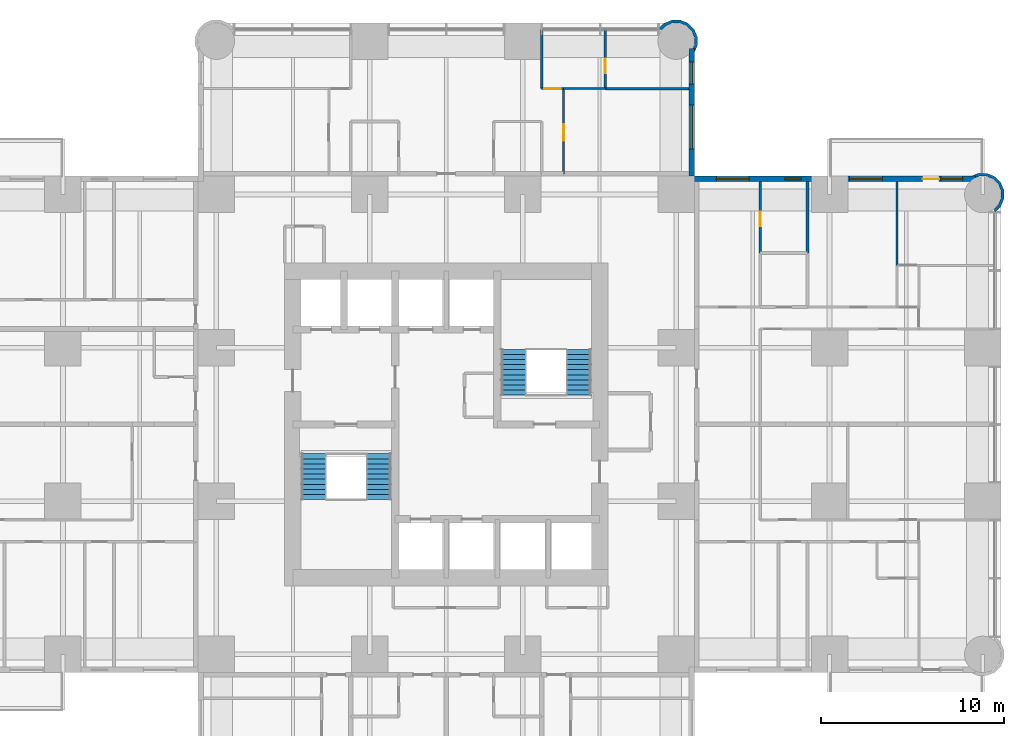
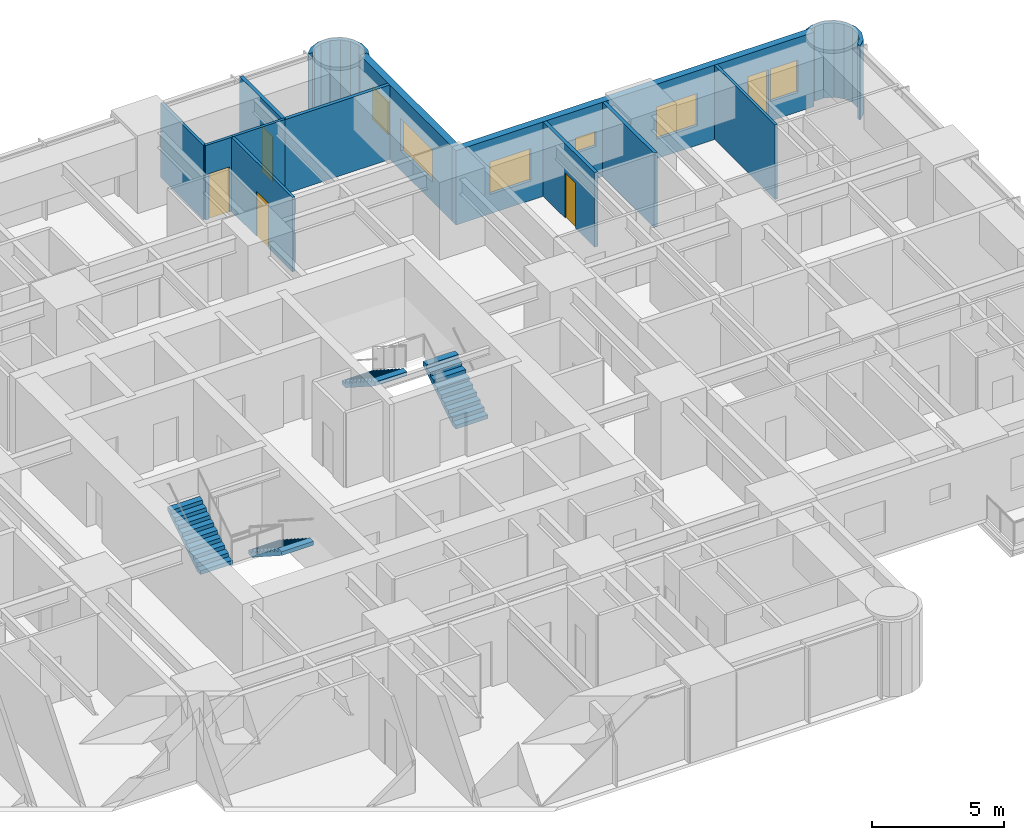
# One storey, part 12 of 14: 13 walls, 6 windows, 5 doors, 4 stair flights, 11 openings, 2 elements without a shape of their own.
"""IFC4 building model written with IfcOpenShell, lengths in metres."""

import ifcopenshell
import ifcopenshell.guid

model = None  # the IFC model being written
_history = None  # IfcOwnerHistory: only IFC2X3 demands one
_inside = {}  # id of a spatial element -> (the spatial element, [elements in it])
_under = {}  # id of a project, library or spatial element -> (it, [spatial elements below it])
_declared = {}  # id of a project -> (the project, [libraries it declares])
_typed = {}  # id of a type object -> (the type object, [elements of that type])
_made_of = {}  # id of a material, layer set ... -> (it, [elements and type objects made of it])


def new_model(schema):
    """Start an empty IFC model of exactly this schema.

    Asked for "IFC4X3", IfcOpenShell would pick the latest addendum, in which some entities
    have other attributes; the version numbers below select the first issue.
    IFC2X3 requires an IfcOwnerHistory on every rooted entity: one is made here for all.
    """
    global model, _history
    if schema == "IFC4X3":
        model = ifcopenshell.file(schema_version=(4, 3, 0, 0))
    else:
        model = ifcopenshell.file(schema=schema)
    _inside.clear()
    _under.clear()
    _declared.clear()
    _typed.clear()
    _made_of.clear()
    _history = None
    if model.schema == "IFC2X3":
        org = make("IfcOrganization", Name="unknown")
        user = make(
            "IfcPersonAndOrganization",
            ThePerson=make("IfcPerson", FamilyName="unknown"),
            TheOrganization=org,
        )
        app = make(
            "IfcApplication",
            ApplicationDeveloper=org,
            Version="unknown",
            ApplicationFullName="unknown",
            ApplicationIdentifier="unknown",
        )
        _history = make(
            "IfcOwnerHistory",
            OwningUser=user,
            OwningApplication=app,
            ChangeAction="ADDED",
            CreationDate=0,
        )
    return model


def make(cls, **values):
    """One entity of the class cls with the attributes given. An attribute that is None is left unset."""
    return model.create_entity(
        cls, **{name: value for name, value in values.items() if value is not None}
    )


def rooted(cls, **values):
    """An entity with a GlobalId (a new one), such as an element, a storey or a relation."""
    return make(cls, GlobalId=ifcopenshell.guid.new(), OwnerHistory=_history, **values)


def si_unit(unit_type, name, prefix=None):
    """IfcSIUnit, for example si_unit("LENGTHUNIT", "METRE", prefix="MILLI")."""
    return make("IfcSIUnit", UnitType=unit_type, Prefix=prefix, Name=name)


def assignment(units):
    """IfcUnitAssignment: the units of a project."""
    return None if units is None else make("IfcUnitAssignment", Units=units)


def point(xyz):
    """IfcCartesianPoint."""
    return None if xyz is None else make("IfcCartesianPoint", Coordinates=xyz)


def direction(xyz):
    """IfcDirection."""
    return None if xyz is None else make("IfcDirection", DirectionRatios=xyz)


def frame(location, z_axis=None, x_axis=None):
    """IfcAxis2Placement3D, a coordinate frame: its origin and axes. An axis left out is left unset."""
    return make(
        "IfcAxis2Placement3D",
        Location=point(location),
        Axis=direction(z_axis),
        RefDirection=direction(x_axis),
    )


def frame_2d(location, x_axis=None):
    """IfcAxis2Placement2D, a coordinate frame in the plane: its origin and x axis."""
    return make(
        "IfcAxis2Placement2D", Location=point(location), RefDirection=direction(x_axis)
    )


def origin():
    """The frame at (0, 0, 0) with its axes left unset."""
    return frame((0.0, 0.0, 0.0))


def place(relative_to, where):
    """IfcLocalPlacement: puts the frame where relative to a parent placement (None: the world)."""
    return make(
        "IfcLocalPlacement", PlacementRelTo=relative_to, RelativePlacement=where
    )


def context(
    kind, dimensions, precision=None, world=None, true_north=None, identifier=None
):
    """IfcGeometricRepresentationContext, for example the 3D "Model" context."""
    return make(
        "IfcGeometricRepresentationContext",
        ContextIdentifier=identifier,
        ContextType=kind,
        CoordinateSpaceDimension=dimensions,
        Precision=precision,
        WorldCoordinateSystem=world,
        TrueNorth=true_north,
    )


def subcontext(parent, identifier, kind, view, scale=None):
    """IfcGeometricRepresentationSubContext, for example "Body" below "Model"."""
    return make(
        "IfcGeometricRepresentationSubContext",
        ContextIdentifier=identifier,
        ContextType=kind,
        ParentContext=parent,
        TargetScale=scale,
        TargetView=view,
    )


def project(units=None, contexts=None):
    """IfcProject with its units and contexts."""
    return rooted(
        "IfcProject",
        Name="project",
        RepresentationContexts=contexts,
        UnitsInContext=assignment(units),
    )


def spatial(cls, under=None, at=None, **own):
    """A site, building, storey or space (cls), placed at a placement, below another one or the project."""
    s = rooted(cls, ObjectPlacement=at, **own)
    if under is not None:
        _under.setdefault(under.id(), (under, []))[1].append(s)
    return s


def polyline(points):
    """IfcPolyline through the points."""
    return make("IfcPolyline", Points=[point(p) for p in points])


def profile(cls, at=None, kind="AREA", **sizes):
    """A parametric profile (cls). Its sizes go by their IFC names, for example OverallWidth=200.0."""
    return make(cls, ProfileType=kind, Position=at, **sizes)


def rectangle(**sizes):
    """IfcRectangleProfileDef."""
    return profile("IfcRectangleProfileDef", **sizes)


def outline(outer, holes=None, kind="AREA"):
    """IfcArbitraryClosedProfileDef: a profile drawn as a closed curve; with holes, ...WithVoids."""
    if holes is None:
        return make("IfcArbitraryClosedProfileDef", ProfileType=kind, OuterCurve=outer)
    return make(
        "IfcArbitraryProfileDefWithVoids",
        ProfileType=kind,
        OuterCurve=outer,
        InnerCurves=holes,
    )


def extrude(swept, where, along, depth):
    """IfcExtrudedAreaSolid: the profile swept, set in the frame where, extruded along a direction by depth."""
    return make(
        "IfcExtrudedAreaSolid",
        SweptArea=swept,
        Position=where,
        ExtrudedDirection=direction(along),
        Depth=depth,
    )


def shape(context_of_items, identifier, shape_type, items):
    """IfcShapeRepresentation: the items that make up one representation, for example the "Body"."""
    return make(
        "IfcShapeRepresentation",
        ContextOfItems=context_of_items,
        RepresentationIdentifier=identifier,
        RepresentationType=shape_type,
        Items=items,
    )


def material(Name=None, Category=None):
    """IfcMaterial."""
    return make("IfcMaterial", Name=Name, Category=Category)


def layer(
    of_material, thickness, ventilated=None, Name=None, Category=None, Priority=None
):
    """IfcMaterialLayer: one layer of a wall or slab, of a material (None: an air gap)."""
    return make(
        "IfcMaterialLayer",
        Material=of_material,
        LayerThickness=thickness,
        IsVentilated=ventilated,
        Name=Name,
        Category=Category,
        Priority=Priority,
    )


def layer_set(layers, Name=None):
    """IfcMaterialLayerSet."""
    return make("IfcMaterialLayerSet", MaterialLayers=layers, LayerSetName=Name)


def made_of(thing, what):
    """Note that an element or type object is made of a material, layer set ...; save() writes the relation."""
    if what is not None:
        _made_of.setdefault(what.id(), (what, []))[1].append(thing)
    return thing


def type_object(cls, material=None, **own):
    """A type object (cls), such as IfcWallType, which elements share."""
    return made_of(rooted(cls, **own), material)


def element(
    cls,
    number,
    at=None,
    inside=None,
    cuts=None,
    type_object=None,
    material=None,
    context=None,
    identifier="Body",
    shape_type=None,
    held_by="IfcProductDefinitionShape",
    body=None,
    shapes=None,
    **own,
):
    """One element of the class cls, such as IfcWall. Its Tag is "e" and its number.

    at: its placement. inside: the storey or other place that contains it. cuts: it is an
    opening in that element (IfcRelVoidsElement). A single representation is given by context,
    identifier, shape_type and body (its items); several are given by shapes. held_by: the class
    of the entity that holds the representations. save() writes the other relations.
    """
    e = rooted(cls, Tag="e%d" % number, ObjectPlacement=at, **own)
    if body is not None:
        shapes = [shape(context, identifier, shape_type, body)]
    if shapes is not None:
        e.Representation = make(held_by, Representations=shapes)
    if inside is not None:
        _inside.setdefault(inside.id(), (inside, []))[1].append(e)
    if cuts is not None:
        rooted(
            "IfcRelVoidsElement", RelatingBuildingElement=cuts, RelatedOpeningElement=e
        )
    if type_object is not None:
        _typed.setdefault(type_object.id(), (type_object, []))[1].append(e)
    return made_of(e, material)


def fill(opening, filler):
    """IfcRelFillsElement: the door or window that sits in an opening."""
    return rooted(
        "IfcRelFillsElement",
        RelatingOpeningElement=opening,
        RelatedBuildingElement=filler,
    )


def aggregate(whole, parts):
    """IfcRelAggregates: a whole, such as a stair, and the parts it consists of."""
    return rooted("IfcRelAggregates", RelatingObject=whole, RelatedObjects=parts)


def save(model, path):
    """Write the relations noted so far, then the file.

    IfcRelAggregates (storeys below a building ...), IfcRelContainedInSpatialStructure (elements
    in a storey), IfcRelDefinesByType, IfcRelAssociatesMaterial and IfcRelDeclares: one each for
    every whole, place, type object, material and project.
    """
    for whole, parts in _under.values():
        aggregate(whole, parts)
    for where, things in _inside.values():
        rooted(
            "IfcRelContainedInSpatialStructure",
            RelatedElements=things,
            RelatingStructure=where,
        )
    for kind, things in _typed.values():
        rooted("IfcRelDefinesByType", RelatedObjects=things, RelatingType=kind)
    for what, things in _made_of.values():
        rooted("IfcRelAssociatesMaterial", RelatedObjects=things, RelatingMaterial=what)
    for by, libraries in _declared.values():
        rooted("IfcRelDeclares", RelatingContext=by, RelatedDefinitions=libraries)
    model.write(path)


model = new_model("IFC4")

# Units and contexts
model_context = context("Model", 3, precision=1e-05, world=origin(), true_north=direction((0.0, 1.0)))
body_context = subcontext(model_context, "Body", "Model", "MODEL_VIEW")
ifc_project = project(units=[si_unit("LENGTHUNIT", "METRE"), si_unit("AREAUNIT", "SQUARE_METRE"), si_unit("VOLUMEUNIT", "CUBIC_METRE"), si_unit("PLANEANGLEUNIT", "RADIAN"), si_unit("MASSUNIT", "GRAM", prefix="KILO")], contexts=[model_context])

# Site, building, storey
site_placement = place(None, origin())
site = spatial("IfcSite", under=ifc_project, at=site_placement, CompositionType="ELEMENT")
building_placement = place(site_placement, origin())
building = spatial("IfcBuilding", under=site, at=building_placement, Name="Torre Alcanfor", CompositionType="ELEMENT")
storey_placement = place(building_placement, frame((0.0, 0.0, 112.5)))
storey = spatial("IfcBuildingStorey", under=building, at=storey_placement, Name="L28", CompositionType="ELEMENT", Elevation=112.5)

# Wall, opening, door
ifc_material_1 = material(Name="Gypsum board on steel studs", Category="steel")
ifc_layer_1 = layer(ifc_material_1, 0.1201171875)
ifc_layer_set_1 = layer_set([ifc_layer_1], Name="Apartment partition 120")
wall_type_1 = type_object("IfcWallType", Name="Apartment partition 120", PredefinedType="PARTITIONING", material=ifc_layer_set_1)
wall_1_placement = place(storey_placement, frame((35.8291015625, 47.800048828125, 0.0), z_axis=(0.0, 0.0, 1.0), x_axis=(0.0, -1.0, 0.0)))
wall_1 = element("IfcWall", 1, at=wall_1_placement, inside=storey, type_object=wall_type_1, Name="Partition L28-NX-LIVING / L28-NX-BED3", PredefinedType="PARTITIONING", context=body_context, shape_type="SweptSolid", body=[
    extrude(rectangle(XDim=4.675048828125, YDim=0.1201171875, at=frame_2d((2.33740234375, 0.0))), origin(), (0.0, 0.0, 1.0), 3.449951171875),
])
opening_1_placement = place(wall_1_placement, frame((1.949951171875, 0.0, 0.0)))
opening_1 = element("IfcOpeningElement", 2, at=opening_1_placement, cuts=wall_1, Name="Opening D-R1", PredefinedType="OPENING", context=body_context, shape_type="SweptSolid", body=[
    extrude(rectangle(XDim=0.89990234375, YDim=2.10009765625, at=frame_2d((0.449951171875, 1.050048828125))), frame((0.0, 0.070068359375, 0.0), z_axis=(0.0, -1.0, 0.0), x_axis=(1.0, 0.0, 0.0)), (0.0, 0.0, 1.0), 0.14013671875),
])
ifc_material_2 = material(Name="Timber", Category="wood")
door_type_1 = type_object("IfcDoorType", Name="Internal door 900x2100", OperationType="SINGLE_SWING_LEFT", PredefinedType="DOOR", material=ifc_material_2)
door_1_placement = place(opening_1_placement, origin())
door_1 = element("IfcDoor", 3, at=door_1_placement, inside=storey, type_object=door_type_1, Name="Door L28-NX bed3", OperationType="SINGLE_SWING_RIGHT", OverallHeight=2.10009765625, OverallWidth=0.89990234375, PredefinedType="DOOR", context=body_context, shape_type="SweptSolid", body=[
    extrude(rectangle(XDim=0.89990234375, YDim=2.10009765625, at=frame_2d((0.449951171875, 1.050048828125))), frame((0.0, 0.02490234375, 0.0), z_axis=(0.0, -1.0, 0.0), x_axis=(1.0, 0.0, 0.0)), (0.0, 0.0, 1.0), 0.050048828125),
])
fill(opening_1, door_1)

# Wall
wall_2_placement = place(storey_placement, frame((34.62890625, 51.050048828125, 0.0), z_axis=(0.0, 0.0, 1.0), x_axis=(0.0, -1.0, 0.0)))
element("IfcWall", 4, at=wall_2_placement, inside=storey, type_object=wall_type_1, Name="Partition L28-NX-LIVING / L28-NX-BED1", PredefinedType="PARTITIONING", context=body_context, shape_type="SweptSolid", body=[
    extrude(rectangle(XDim=3.25, YDim=0.1201171875, at=frame_2d((1.625, 0.0))), origin(), (0.0, 0.0, 1.0), 3.449951171875),
])

# Wall, opening, door
wall_3_placement = place(storey_placement, frame((34.62890625, 47.800048828125, 0.0), z_axis=(0.0, 0.0, 1.0), x_axis=(1.0, 0.0, 0.0)))
wall_3 = element("IfcWall", 5, at=wall_3_placement, inside=storey, type_object=wall_type_1, Name="Partition L28-NX-LIVING / L28-NX-BED1", PredefinedType="PARTITIONING", context=body_context, shape_type="SweptSolid", body=[
    extrude(rectangle(XDim=1.2001953125, YDim=0.1201171875, at=frame_2d((0.60009765625, 0.0))), origin(), (0.0, 0.0, 1.0), 3.449951171875),
])
opening_2_placement = place(wall_3_placement, frame((0.15087890625, 0.0, 0.0)))
opening_2 = element("IfcOpeningElement", 6, at=opening_2_placement, cuts=wall_3, Name="Opening D-R1", PredefinedType="OPENING", context=body_context, shape_type="SweptSolid", body=[
    extrude(rectangle(XDim=0.89990234375, YDim=2.10009765625, at=frame_2d((0.449951171875, 1.050048828125))), frame((0.0, 0.070068359375, 0.0), z_axis=(0.0, -1.0, 0.0), x_axis=(1.0, 0.0, 0.0)), (0.0, 0.0, 1.0), 0.14013671875),
])
door_2_placement = place(opening_2_placement, origin())
door_2 = element("IfcDoor", 7, at=door_2_placement, inside=storey, type_object=door_type_1, Name="Door L28-NX bed1", OperationType="SINGLE_SWING_LEFT", OverallHeight=2.10009765625, OverallWidth=0.89990234375, PredefinedType="DOOR", context=body_context, shape_type="SweptSolid", body=[
    extrude(rectangle(XDim=0.89990234375, YDim=2.10009765625, at=frame_2d((0.449951171875, 1.050048828125))), frame((0.0, 0.02490234375, 0.0), z_axis=(0.0, -1.0, 0.0), x_axis=(1.0, 0.0, 0.0)), (0.0, 0.0, 1.0), 0.050048828125),
])
fill(opening_2, door_2)

# Walls
wall_4_placement = place(storey_placement, frame((38.114013671875, 47.800048828125, 0.0), z_axis=(0.0, 0.0, 1.0), x_axis=(-1.0, 0.0, 0.0)))
element("IfcWall", 8, at=wall_4_placement, inside=storey, type_object=wall_type_1, Name="Partition L28-NX-BED3 / L28-NX-BED1", PredefinedType="PARTITIONING", context=body_context, shape_type="SweptSolid", body=[
    extrude(rectangle(XDim=2.284912109375, YDim=0.1201171875, at=frame_2d((1.142578125, 0.0))), origin(), (0.0, 0.0, 1.0), 3.449951171875),
])
wall_5_placement = place(storey_placement, frame((54.10009765625, 38.114013671875, 0.0), z_axis=(0.0, 0.0, 1.0), x_axis=(0.0, 1.0, 0.0)))
element("IfcWall", 9, at=wall_5_placement, inside=storey, type_object=wall_type_1, Name="Partition L28-E1-BED3 / L28-E1-MASTER", PredefinedType="PARTITIONING", context=body_context, shape_type="SweptSolid", body=[
    extrude(rectangle(XDim=4.5859375, YDim=0.1201171875, at=frame_2d((2.29296875, 0.0))), origin(), (0.0, 0.0, 1.0), 3.449951171875),
])

# Wall, openings, door, windows
ifc_material_3 = material(Name="Limestone cladding", Category="masonry")
ifc_layer_2 = layer(ifc_material_3, 0.0400390625, Name="Facing")
ifc_material_4 = material(Name="Ventilated air cavity")
ifc_layer_3 = layer(ifc_material_4, 0.02001953125, ventilated=True, Name="Ventilated joint")
ifc_material_5 = material(Name="Mineral wool insulation", Category="insulation")
ifc_layer_4 = layer(ifc_material_5, 0.10009765625, Name="Insulation")
ifc_material_6 = material(Name="Concrete f'c 35 MPa", Category="concrete")
ifc_layer_5 = layer(ifc_material_6, 0.139892578125, Name="Backing")
ifc_layer_set_2 = layer_set([ifc_layer_2, ifc_layer_3, ifc_layer_4, ifc_layer_5], Name="External wall stone-clad 300")
wall_type_2 = type_object("IfcWallType", Name="External wall stone-clad 300", PredefinedType="SOLIDWALL", material=ifc_layer_set_2)
wall_6_placement = place(storey_placement, frame((58.39990234375, 42.85009765625, 0.0), z_axis=(0.0, 0.0, 1.0), x_axis=(-1.0, 0.0, 0.0)))
wall_6 = element("IfcWall", 10, at=wall_6_placement, inside=storey, type_object=wall_type_2, Name="External wall L28 9", PredefinedType="SOLIDWALL", context=body_context, shape_type="SweptSolid", body=[
    extrude(rectangle(XDim=15.699951171875, YDim=0.300048828125, at=frame_2d((7.85009765625, 0.0))), origin(), (0.0, 0.0, 1.0), 3.449951171875),
])
opening_3_placement = place(wall_6_placement, frame((12.39990234375, 0.0, 0.89990234375)))
opening_3 = element("IfcOpeningElement", 11, at=opening_3_placement, cuts=wall_6, Name="Opening W2", PredefinedType="OPENING", context=body_context, shape_type="SweptSolid", body=[
    extrude(rectangle(XDim=1.800048828125, YDim=1.5, at=frame_2d((0.89990234375, 0.75))), frame((0.0, 0.159912109375, 0.0), z_axis=(0.0, -1.0, 0.0), x_axis=(1.0, 0.0, 0.0)), (0.0, 0.0, 1.0), 0.320068359375),
])
opening_4_placement = place(wall_6_placement, frame((9.550048828125, 0.0, 1.5)))
opening_4 = element("IfcOpeningElement", 12, at=opening_4_placement, cuts=wall_6, Name="Opening W3", PredefinedType="OPENING", context=body_context, shape_type="SweptSolid", body=[
    extrude(rectangle(XDim=0.89990234375, YDim=0.699951171875, at=frame_2d((0.449951171875, 0.35009765625))), frame((0.0, 0.159912109375, 0.0), z_axis=(0.0, -1.0, 0.0), x_axis=(1.0, 0.0, 0.0)), (0.0, 0.0, 1.0), 0.320068359375),
])
opening_5_placement = place(wall_6_placement, frame((5.10009765625, 0.0, 0.89990234375)))
opening_5 = element("IfcOpeningElement", 13, at=opening_5_placement, cuts=wall_6, Name="Opening W2", PredefinedType="OPENING", context=body_context, shape_type="SweptSolid", body=[
    extrude(rectangle(XDim=1.800048828125, YDim=1.5, at=frame_2d((0.89990234375, 0.75))), frame((0.0, 0.159912109375, 0.0), z_axis=(0.0, -1.0, 0.0), x_axis=(1.0, 0.0, 0.0)), (0.0, 0.0, 1.0), 0.320068359375),
])
opening_6_placement = place(wall_6_placement, frame((2.0, 0.0, 0.0)))
opening_6 = element("IfcOpeningElement", 14, at=opening_6_placement, cuts=wall_6, Name="Opening D-B1", PredefinedType="OPENING", context=body_context, shape_type="SweptSolid", body=[
    extrude(rectangle(XDim=0.89990234375, YDim=2.39990234375, at=frame_2d((0.449951171875, 1.199951171875))), frame((0.0, 0.159912109375, 0.0), z_axis=(0.0, -1.0, 0.0), x_axis=(1.0, 0.0, 0.0)), (0.0, 0.0, 1.0), 0.320068359375),
])
opening_7_placement = place(wall_6_placement, frame((0.699951171875, 0.0, 0.89990234375)))
opening_7 = element("IfcOpeningElement", 15, at=opening_7_placement, cuts=wall_6, Name="Opening W4", PredefinedType="OPENING", context=body_context, shape_type="SweptSolid", body=[
    extrude(rectangle(XDim=1.199951171875, YDim=1.5, at=frame_2d((0.60009765625, 0.75))), frame((0.0, 0.159912109375, 0.0), z_axis=(0.0, -1.0, 0.0), x_axis=(1.0, 0.0, 0.0)), (0.0, 0.0, 1.0), 0.320068359375),
])
ifc_material_7 = material(Name="Aluminium and glass", Category="aluminium")
door_type_2 = type_object("IfcDoorType", Name="Balcony door glazed 900x2400", OperationType="SINGLE_SWING_LEFT", PredefinedType="DOOR", material=ifc_material_7)
door_3_placement = place(opening_6_placement, origin())
door_3 = element("IfcDoor", 16, at=door_3_placement, inside=storey, type_object=door_type_2, Name="Balcony door L28-E1", OperationType="SINGLE_SWING_RIGHT", OverallHeight=2.39990234375, OverallWidth=0.89990234375, PredefinedType="DOOR", context=body_context, shape_type="SweptSolid", body=[
    extrude(rectangle(XDim=0.89990234375, YDim=2.39990234375, at=frame_2d((0.449951171875, 1.199951171875))), frame((0.0, 0.02490234375, 0.0), z_axis=(0.0, -1.0, 0.0), x_axis=(1.0, 0.0, 0.0)), (0.0, 0.0, 1.0), 0.050048828125),
])
fill(opening_6, door_3)
ifc_material_8 = material(Name="Aluminium frame with clear double glazing", Category="aluminium")
window_type_1 = type_object("IfcWindowType", Name="Window bathroom 900x700", PartitioningType="SINGLE_PANEL", PredefinedType="WINDOW", material=ifc_material_8)
window_1_placement = place(opening_4_placement, origin())
window_1 = element("IfcWindow", 17, at=window_1_placement, inside=storey, type_object=window_type_1, Name="Window W3 L28-E1", OverallHeight=0.699951171875, OverallWidth=0.89990234375, PartitioningType="SINGLE_PANEL", PredefinedType="WINDOW", context=body_context, shape_type="SweptSolid", body=[
    extrude(rectangle(XDim=0.89990234375, YDim=0.699951171875, at=frame_2d((0.449951171875, 0.35009765625))), frame((0.0, 0.030029296875, 0.0), z_axis=(0.0, -1.0, 0.0), x_axis=(1.0, 0.0, 0.0)), (0.0, 0.0, 1.0), 0.06005859375),
])
fill(opening_4, window_1)
ifc_material_9 = material(Name="Aluminium frame with clear double glazing", Category="aluminium")
window_type_2 = type_object("IfcWindowType", Name="Window bedroom 1200x1500", PartitioningType="SINGLE_PANEL", PredefinedType="WINDOW", material=ifc_material_9)
window_2_placement = place(opening_7_placement, origin())
window_2 = element("IfcWindow", 18, at=window_2_placement, inside=storey, type_object=window_type_2, Name="Window W4 L28-E1", OverallHeight=1.5, OverallWidth=1.199951171875, PartitioningType="SINGLE_PANEL", PredefinedType="WINDOW", context=body_context, shape_type="SweptSolid", body=[
    extrude(rectangle(XDim=1.199951171875, YDim=1.5, at=frame_2d((0.60009765625, 0.75))), frame((0.0, 0.030029296875, 0.0), z_axis=(0.0, -1.0, 0.0), x_axis=(1.0, 0.0, 0.0)), (0.0, 0.0, 1.0), 0.06005859375),
])
fill(opening_7, window_2)
ifc_material_10 = material(Name="Aluminium frame with clear double glazing", Category="aluminium")
window_type_3 = type_object("IfcWindowType", Name="Window bedroom 1800x1500", PartitioningType="SINGLE_PANEL", PredefinedType="WINDOW", material=ifc_material_10)
window_3_placement = place(opening_3_placement, origin())
window_3 = element("IfcWindow", 19, at=window_3_placement, inside=storey, type_object=window_type_3, Name="Window W2 L28-E1", OverallHeight=1.5, OverallWidth=1.800048828125, PartitioningType="SINGLE_PANEL", PredefinedType="WINDOW", context=body_context, shape_type="SweptSolid", body=[
    extrude(rectangle(XDim=1.800048828125, YDim=1.5, at=frame_2d((0.89990234375, 0.75))), frame((0.0, 0.030029296875, 0.0), z_axis=(0.0, -1.0, 0.0), x_axis=(1.0, 0.0, 0.0)), (0.0, 0.0, 1.0), 0.06005859375),
])
fill(opening_3, window_3)
window_4_placement = place(opening_5_placement, origin())
window_4 = element("IfcWindow", 20, at=window_4_placement, inside=storey, type_object=window_type_3, Name="Window W2 L28-E1", OverallHeight=1.5, OverallWidth=1.800048828125, PartitioningType="SINGLE_PANEL", PredefinedType="WINDOW", context=body_context, shape_type="SweptSolid", body=[
    extrude(rectangle(XDim=1.800048828125, YDim=1.5, at=frame_2d((0.89990234375, 0.75))), frame((0.0, 0.030029296875, 0.0), z_axis=(0.0, -1.0, 0.0), x_axis=(1.0, 0.0, 0.0)), (0.0, 0.0, 1.0), 0.06005859375),
])
fill(opening_5, window_4)

# Wall, openings, windows
wall_7_placement = place(storey_placement, frame((42.85009765625, 43.0, 0.0), z_axis=(0.0, 0.0, 1.0), x_axis=(0.0, 1.0, 0.0)))
wall_7 = element("IfcWall", 21, at=wall_7_placement, inside=storey, type_object=wall_type_2, Name="External wall L28 10", PredefinedType="SOLIDWALL", context=body_context, shape_type="SweptSolid", body=[
    extrude(rectangle(XDim=7.0, YDim=0.300048828125, at=frame_2d((3.5, 0.0))), origin(), (0.0, 0.0, 1.0), 3.449951171875),
])
opening_8_placement = place(wall_7_placement, frame((1.5, 0.0, 0.89990234375)))
opening_8 = element("IfcOpeningElement", 22, at=opening_8_placement, cuts=wall_7, Name="Opening W1", PredefinedType="OPENING", context=body_context, shape_type="SweptSolid", body=[
    extrude(rectangle(XDim=2.39990234375, YDim=1.5, at=frame_2d((1.199951171875, 0.75))), frame((0.0, 0.159912109375, 0.0), z_axis=(0.0, -1.0, 0.0), x_axis=(1.0, 0.0, 0.0)), (0.0, 0.0, 1.0), 0.320068359375),
])
opening_9_placement = place(wall_7_placement, frame((5.050048828125, 0.0, 0.89990234375)))
opening_9 = element("IfcOpeningElement", 23, at=opening_9_placement, cuts=wall_7, Name="Opening W4", PredefinedType="OPENING", context=body_context, shape_type="SweptSolid", body=[
    extrude(rectangle(XDim=1.199951171875, YDim=1.5, at=frame_2d((0.60009765625, 0.75))), frame((0.0, 0.159912109375, 0.0), z_axis=(0.0, -1.0, 0.0), x_axis=(1.0, 0.0, 0.0)), (0.0, 0.0, 1.0), 0.320068359375),
])
window_5_placement = place(opening_9_placement, origin())
window_5 = element("IfcWindow", 24, at=window_5_placement, inside=storey, type_object=window_type_2, Name="Window W4 L28-N2", OverallHeight=1.5, OverallWidth=1.199951171875, PartitioningType="SINGLE_PANEL", PredefinedType="WINDOW", context=body_context, shape_type="SweptSolid", body=[
    extrude(rectangle(XDim=1.199951171875, YDim=1.5, at=frame_2d((0.60009765625, 0.75))), frame((0.0, 0.030029296875, 0.0), z_axis=(0.0, -1.0, 0.0), x_axis=(1.0, 0.0, 0.0)), (0.0, 0.0, 1.0), 0.06005859375),
])
fill(opening_9, window_5)
ifc_material_11 = material(Name="Aluminium frame with clear double glazing", Category="aluminium")
window_type_4 = type_object("IfcWindowType", Name="Window bedroom 2400x1500", PartitioningType="SINGLE_PANEL", PredefinedType="WINDOW", material=ifc_material_11)
window_6_placement = place(opening_8_placement, origin())
window_6 = element("IfcWindow", 25, at=window_6_placement, inside=storey, type_object=window_type_4, Name="Window W1 L28-N2", OverallHeight=1.5, OverallWidth=2.39990234375, PartitioningType="SINGLE_PANEL", PredefinedType="WINDOW", context=body_context, shape_type="SweptSolid", body=[
    extrude(rectangle(XDim=2.39990234375, YDim=1.5, at=frame_2d((1.199951171875, 0.75))), frame((0.0, 0.030029296875, 0.0), z_axis=(0.0, -1.0, 0.0), x_axis=(1.0, 0.0, 0.0)), (0.0, 0.0, 1.0), 0.06005859375),
])
fill(opening_8, window_6)

# Walls
ifc_layer_6 = layer(ifc_material_3, 0.0400390625, Name="Facing")
ifc_layer_7 = layer(ifc_material_4, 0.02001953125, ventilated=True, Name="Ventilated joint")
ifc_layer_8 = layer(ifc_material_5, 0.10009765625, Name="Insulation")
ifc_layer_9 = layer(ifc_material_6, 0.139892578125, Name="Backing")
ifc_layer_set_3 = layer_set([ifc_layer_6, ifc_layer_7, ifc_layer_8, ifc_layer_9], Name="Rounded corner pier stone-clad 300")
wall_type_3 = type_object("IfcWallType", Name="Rounded corner pier stone-clad 300", PredefinedType="SOLIDWALL", material=ifc_layer_set_3)
wall_8_placement = place(storey_placement, frame((59.443275148, 41.132476465, 0.0), z_axis=(0.0, 0.0, 1.0), x_axis=(0.831199417842, 0.555974394895, 0.0)))
element("IfcWall", 26, at=wall_8_placement, inside=storey, type_object=wall_type_3, Name="Corner pier L28 18", PredefinedType="SOLIDWALL", context=body_context, shape_type="SweptSolid", body=[
    extrude(outline(polyline([(0.7835193401086837, 0.24205256771245343), (1.0400602596279205, 0.6255894084649389), (1.1303371430229154, 1.0780414765952286), (1.0404992876319876, 1.5308372255281877), (0.7843213833243519, 1.9145502315306397), (0.40078454257186635, 2.1710911510498763), (-0.009157036452224432, 2.2529065499845613), (0.17104439983783215, 2.132373038591396), (0.11338764744446561, 2.06637397350674), (0.3385983594237434, 2.0214740812361995), (0.6695764479249623, 1.8000887692066359), (0.8906920485778681, 1.4689066769605825), (0.9682334735001796, 1.0780867111650443), (0.8904431898142434, 0.6877755916130619), (0.6689221418484262, 0.3565945735664713), (0.3378757855386265, 0.13568190245893724), (0.06220208349567317, 0.08098630463678677), (-0.03579926247940035, -0.0655288271215701), (0.0045837170495650476, -0.09254027843602942), (0.3998063341062316, -0.014125336595182225), (0.7835193401086837, 0.24205256771245343)])), origin(), (0.0, 0.0, 1.0), 3.449951171875),
])
wall_9_placement = place(storey_placement, frame((42.919127633, 49.83289825, 0.0), z_axis=(0.0, 0.0, 1.0), x_axis=(0.555974394895, 0.831199417842, 0.0)))
element("IfcWall", 27, at=wall_9_placement, inside=storey, type_object=wall_type_3, Name="Corner pier L28 19", PredefinedType="SOLIDWALL", context=body_context, shape_type="SweptSolid", body=[
    extrude(outline(polyline([(0.4133950558156311, -0.01317061842259179), (0.7969318965681165, 0.24337030109664498), (1.0533127304211238, 0.6272190430353506), (1.14294765626668, 1.079879056032056), (1.0528737024170565, 1.5324668600985993), (0.7963327828978198, 1.9160037008510848), (0.4124168473499963, 2.172045869222467), (0.01719423029332945, 2.250460811063314), (-0.022985819690264142, 2.2235850956851086), (0.07501552628480945, 2.0770699639267516), (0.3504862987823911, 2.0222386301683475), (0.6815326550921907, 1.8013259590608133), (0.9030537030580079, 1.4701449410142229), (0.9808439867439442, 1.0798338214622403), (0.9035054913670044, 0.6891495916029556), (0.6823898907140987, 0.35796749935690236), (0.3514118022128797, 0.1365821873273388), (0.12599816068823022, 0.09154655912054449), (0.18385784262696836, 0.025683229972142008), (0.003453476791540032, -0.09498601735727676), (0.4133950558156311, -0.01317061842259179)])), origin(), (0.0, 0.0, 1.0), 3.449951171875),
])
ifc_material_12 = material(Name="Cement board on steel studs", Category="steel")
ifc_layer_10 = layer(ifc_material_12, 0.14990234375)
ifc_layer_set_4 = layer_set([ifc_layer_10], Name="Wet area partition 150")
wall_type_4 = type_object("IfcWallType", Name="Wet area partition 150", PredefinedType="PARTITIONING", material=ifc_layer_set_4)
wall_10_placement = place(storey_placement, frame((42.699951171875, 47.800048828125, 0.0), z_axis=(0.0, 0.0, 1.0), x_axis=(-1.0, 0.0, 0.0)))
element("IfcWall", 28, at=wall_10_placement, inside=storey, type_object=wall_type_4, Name="Partition L28-NX-BED3 / L28-NX-BATH1", PredefinedType="PARTITIONING", context=body_context, shape_type="SweptSolid", body=[
    extrude(rectangle(XDim=4.5859375, YDim=0.14990234375, at=frame_2d((2.29296875, 0.0))), origin(), (0.0, 0.0, 1.0), 3.449951171875),
])

# Wall, opening, door
wall_11_placement = place(storey_placement, frame((38.114013671875, 51.050048828125, 0.0), z_axis=(0.0, 0.0, 1.0), x_axis=(0.0, -1.0, 0.0)))
wall_11 = element("IfcWall", 29, at=wall_11_placement, inside=storey, type_object=wall_type_4, Name="Partition L28-NX-BATH1 / L28-NX-BED1", PredefinedType="PARTITIONING", context=body_context, shape_type="SweptSolid", body=[
    extrude(rectangle(XDim=3.25, YDim=0.14990234375, at=frame_2d((1.625, 0.0))), origin(), (0.0, 0.0, 1.0), 3.449951171875),
])
opening_10_placement = place(wall_11_placement, frame((1.60009765625, 0.0, 0.0)))
opening_10 = element("IfcOpeningElement", 30, at=opening_10_placement, cuts=wall_11, Name="Opening D-R2", PredefinedType="OPENING", context=body_context, shape_type="SweptSolid", body=[
    extrude(rectangle(XDim=0.800048828125, YDim=2.10009765625, at=frame_2d((0.39990234375, 1.050048828125))), frame((0.0, 0.0849609375, 0.0), z_axis=(0.0, -1.0, 0.0), x_axis=(1.0, 0.0, 0.0)), (0.0, 0.0, 1.0), 0.169921875),
])
ifc_material_13 = material(Name="Timber", Category="wood")
door_type_3 = type_object("IfcDoorType", Name="Bathroom door 800x2100", OperationType="SINGLE_SWING_LEFT", PredefinedType="DOOR", material=ifc_material_13)
door_4_placement = place(opening_10_placement, frame((0.800048828125, 0.0, 0.0), z_axis=(0.0, 0.0, 1.0), x_axis=(-1.0, 0.0, 0.0)))
door_4 = element("IfcDoor", 31, at=door_4_placement, inside=storey, type_object=door_type_3, Name="Door L28-NX bath1", OperationType="SINGLE_SWING_LEFT", OverallHeight=2.10009765625, OverallWidth=0.800048828125, PredefinedType="DOOR", context=body_context, shape_type="SweptSolid", body=[
    extrude(rectangle(XDim=0.800048828125, YDim=2.10009765625, at=frame_2d((0.400146484375, 1.050048828125))), frame((0.0, 0.025146484375, 0.0), z_axis=(0.0, -1.0, 0.0), x_axis=(1.0, 0.0, 0.0)), (0.0, 0.0, 1.0), 0.050048828125),
])
fill(opening_10, door_4)

wall_12_placement = place(storey_placement, frame((46.60009765625, 38.800048828125, 0.0), z_axis=(0.0, 0.0, 1.0), x_axis=(0.0, 1.0, 0.0)))
wall_12 = element("IfcWall", 32, at=wall_12_placement, inside=storey, type_object=wall_type_4, Name="Partition L28-E1-SERV / L28-E1-SBATH", PredefinedType="PARTITIONING", context=body_context, shape_type="SweptSolid", body=[
    extrude(rectangle(XDim=3.89990234375, YDim=0.14990234375, at=frame_2d((1.949951171875, 0.0))), origin(), (0.0, 0.0, 1.0), 3.449951171875),
])
opening_11_placement = place(wall_12_placement, frame((1.449951171875, 0.0, 0.0)))
opening_11 = element("IfcOpeningElement", 33, at=opening_11_placement, cuts=wall_12, Name="Opening D-R2", PredefinedType="OPENING", context=body_context, shape_type="SweptSolid", body=[
    extrude(rectangle(XDim=0.800048828125, YDim=2.10009765625, at=frame_2d((0.39990234375, 1.050048828125))), frame((0.0, 0.0849609375, 0.0), z_axis=(0.0, -1.0, 0.0), x_axis=(1.0, 0.0, 0.0)), (0.0, 0.0, 1.0), 0.169921875),
])
door_5_placement = place(opening_11_placement, frame((0.800048828125, 0.0, 0.0), z_axis=(0.0, 0.0, 1.0), x_axis=(-1.0, 0.0, 0.0)))
door_5 = element("IfcDoor", 34, at=door_5_placement, inside=storey, type_object=door_type_3, Name="Door L28-E1 sbath", OperationType="SINGLE_SWING_RIGHT", OverallHeight=2.10009765625, OverallWidth=0.800048828125, PredefinedType="DOOR", context=body_context, shape_type="SweptSolid", body=[
    extrude(rectangle(XDim=0.800048828125, YDim=2.10009765625, at=frame_2d((0.400146484375, 1.050048828125))), frame((0.0, 0.025146484375, 0.0), z_axis=(0.0, -1.0, 0.0), x_axis=(1.0, 0.0, 0.0)), (0.0, 0.0, 1.0), 0.050048828125),
])
fill(opening_11, door_5)

# Wall
wall_13_placement = place(storey_placement, frame((49.199951171875, 38.800048828125, 0.0), z_axis=(0.0, 0.0, 1.0), x_axis=(0.0, 1.0, 0.0)))
element("IfcWall", 35, at=wall_13_placement, inside=storey, type_object=wall_type_4, Name="Partition L28-E1-SBATH / L28-E1-BED3", PredefinedType="PARTITIONING", context=body_context, shape_type="SweptSolid", body=[
    extrude(rectangle(XDim=3.89990234375, YDim=0.14990234375, at=frame_2d((1.949951171875, 0.0))), origin(), (0.0, 0.0, 1.0), 3.449951171875),
])

# Stair, stair flights
ifc_material_14 = material(Name="Concrete f'c 35 MPa", Category="concrete")
stair_type_1 = type_object("IfcStairType", Name="Exit stair S1 1400 wide", PredefinedType="HALF_TURN_STAIR", material=ifc_material_14)
stair_1_placement = place(storey_placement, origin())
stair_1 = element("IfcStair", 36, at=stair_1_placement, inside=storey, type_object=stair_type_1, Name="Stair S1 L28 to L29", PredefinedType="HALF_TURN_STAIR")
ifc_material_15 = material(Name="Concrete f'c 35 MPa", Category="concrete")
stair_flight_type = type_object("IfcStairFlightType", Name="Stair flight 1400", PredefinedType="STRAIGHT", material=ifc_material_15)
stair_flight_1_placement = place(storey_placement, frame((25.699951171875, 27.800048828125, 0.0), z_axis=(0.0, 0.0, 1.0), x_axis=(0.0, -1.0, 0.0)))
stair_flight_1 = element("IfcStairFlight", 37, at=stair_flight_1_placement, type_object=stair_flight_type, Name="S1 flight 1", NumberOfRisers=10, NumberOfTreads=9, PredefinedType="STRAIGHT", RiserHeight=0.18, TreadLength=0.28, context=body_context, shape_type="SweptSolid", body=[
    extrude(outline(polyline([(0.0, 0.0), (0.0, 0.179931640625), (0.280029296875, 0.179931640625), (0.280029296875, 0.360107421875), (0.56005859375, 0.360107421875), (0.56005859375, 0.5400390625), (0.840087890625, 0.5400390625), (0.840087890625, 0.719970703125), (1.1201171875, 0.719970703125), (1.1201171875, 0.89990234375), (1.39990234375, 0.89990234375), (1.39990234375, 1.080078125), (1.679931640625, 1.080078125), (1.679931640625, 1.260009765625), (1.9599609375, 1.260009765625), (1.9599609375, 1.43994140625), (2.239990234375, 1.43994140625), (2.239990234375, 1.6201171875), (2.52001953125, 1.6201171875), (2.52001953125, 1.800048828125), (2.52001953125, 1.44189453125), (0.277099609375, 0.0), (0.0, 0.0)])), frame((0.0, 0.699951171875, 0.0), z_axis=(0.0, -1.0, 0.0), x_axis=(1.0, 0.0, 0.0)), (0.0, 0.0, 1.0), 1.39990234375),
])
stair_flight_2_placement = place(storey_placement, frame((22.14990234375, 25.280029296875, 1.800048828125), z_axis=(0.0, 0.0, 1.0), x_axis=(0.0, 1.0, 0.0)))
stair_flight_2 = element("IfcStairFlight", 38, at=stair_flight_2_placement, type_object=stair_flight_type, Name="S1 flight 2", NumberOfRisers=10, NumberOfTreads=9, PredefinedType="STRAIGHT", RiserHeight=0.18, TreadLength=0.28, context=body_context, shape_type="SweptSolid", body=[
    extrude(outline(polyline([(0.0, 0.0), (0.0, 0.179931640625), (0.280029296875, 0.179931640625), (0.280029296875, 0.360107421875), (0.56005859375, 0.360107421875), (0.56005859375, 0.5400390625), (0.840087890625, 0.5400390625), (0.840087890625, 0.719970703125), (1.1201171875, 0.719970703125), (1.1201171875, 0.89990234375), (1.39990234375, 0.89990234375), (1.39990234375, 1.080078125), (1.679931640625, 1.080078125), (1.679931640625, 1.260009765625), (1.9599609375, 1.260009765625), (1.9599609375, 1.43994140625), (2.239990234375, 1.43994140625), (2.239990234375, 1.6201171875), (2.52001953125, 1.6201171875), (2.52001953125, 1.800048828125), (2.52001953125, 1.44189453125), (0.277099609375, 0.0), (0.0, 0.0)])), frame((0.0, 0.699951171875, 0.0), z_axis=(0.0, -1.0, 0.0), x_axis=(1.0, 0.0, 0.0)), (0.0, 0.0, 1.0), 1.39990234375),
])
aggregate(stair_1, [stair_flight_1, stair_flight_2])

ifc_material_16 = material(Name="Concrete f'c 35 MPa", Category="concrete")
stair_type_2 = type_object("IfcStairType", Name="Exit stair S2 1400 wide", PredefinedType="HALF_TURN_STAIR", material=ifc_material_16)
stair_2_placement = place(storey_placement, origin())
stair_2 = element("IfcStair", 39, at=stair_2_placement, inside=storey, type_object=stair_type_2, Name="Stair S2 L28 to L29", PredefinedType="HALF_TURN_STAIR")
stair_flight_3_placement = place(storey_placement, frame((36.64990234375, 31.0, 0.0), z_axis=(0.0, 0.0, 1.0), x_axis=(0.0, 1.0, 0.0)))
stair_flight_3 = element("IfcStairFlight", 40, at=stair_flight_3_placement, type_object=stair_flight_type, Name="S2 flight 1", NumberOfRisers=10, NumberOfTreads=9, PredefinedType="STRAIGHT", RiserHeight=0.18, TreadLength=0.28, context=body_context, shape_type="SweptSolid", body=[
    extrude(outline(polyline([(0.0, 0.0), (0.0, 0.179931640625), (0.280029296875, 0.179931640625), (0.280029296875, 0.360107421875), (0.56005859375, 0.360107421875), (0.56005859375, 0.5400390625), (0.840087890625, 0.5400390625), (0.840087890625, 0.719970703125), (1.1201171875, 0.719970703125), (1.1201171875, 0.89990234375), (1.39990234375, 0.89990234375), (1.39990234375, 1.080078125), (1.679931640625, 1.080078125), (1.679931640625, 1.260009765625), (1.9599609375, 1.260009765625), (1.9599609375, 1.43994140625), (2.239990234375, 1.43994140625), (2.239990234375, 1.6201171875), (2.52001953125, 1.6201171875), (2.52001953125, 1.800048828125), (2.52001953125, 1.44189453125), (0.277099609375, 0.0), (0.0, 0.0)])), frame((0.0, 0.699951171875, 0.0), z_axis=(0.0, -1.0, 0.0), x_axis=(1.0, 0.0, 0.0)), (0.0, 0.0, 1.0), 1.39990234375),
])
stair_flight_4_placement = place(storey_placement, frame((33.10009765625, 33.52001953125, 1.800048828125), z_axis=(0.0, 0.0, 1.0), x_axis=(0.0, -1.0, 0.0)))
stair_flight_4 = element("IfcStairFlight", 41, at=stair_flight_4_placement, type_object=stair_flight_type, Name="S2 flight 2", NumberOfRisers=10, NumberOfTreads=9, PredefinedType="STRAIGHT", RiserHeight=0.18, TreadLength=0.28, context=body_context, shape_type="SweptSolid", body=[
    extrude(outline(polyline([(0.0, 0.0), (0.0, 0.179931640625), (0.280029296875, 0.179931640625), (0.280029296875, 0.360107421875), (0.56005859375, 0.360107421875), (0.56005859375, 0.5400390625), (0.840087890625, 0.5400390625), (0.840087890625, 0.719970703125), (1.1201171875, 0.719970703125), (1.1201171875, 0.89990234375), (1.39990234375, 0.89990234375), (1.39990234375, 1.080078125), (1.679931640625, 1.080078125), (1.679931640625, 1.260009765625), (1.9599609375, 1.260009765625), (1.9599609375, 1.43994140625), (2.239990234375, 1.43994140625), (2.239990234375, 1.6201171875), (2.52001953125, 1.6201171875), (2.52001953125, 1.800048828125), (2.52001953125, 1.44189453125), (0.277099609375, 0.0), (0.0, 0.0)])), frame((0.0, 0.699951171875, 0.0), z_axis=(0.0, -1.0, 0.0), x_axis=(1.0, 0.0, 0.0)), (0.0, 0.0, 1.0), 1.39990234375),
])
aggregate(stair_2, [stair_flight_3, stair_flight_4])

save(model, "model.ifc")
